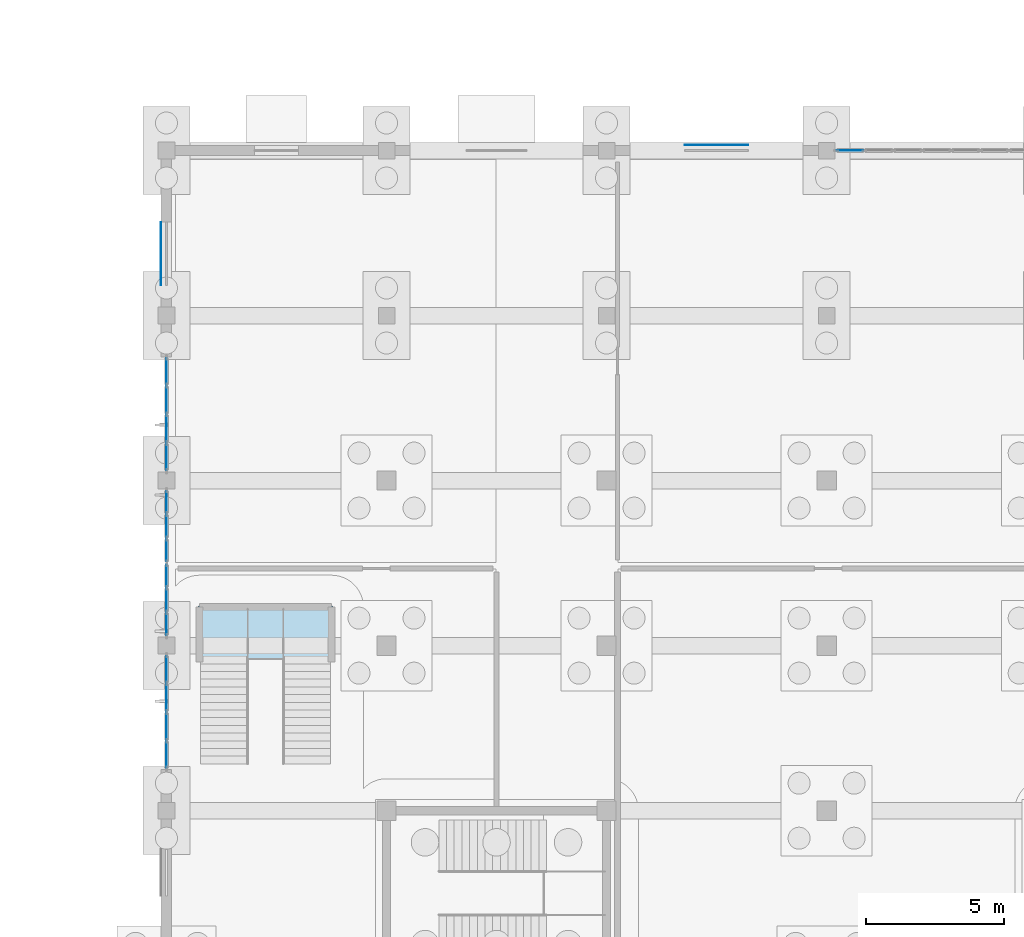
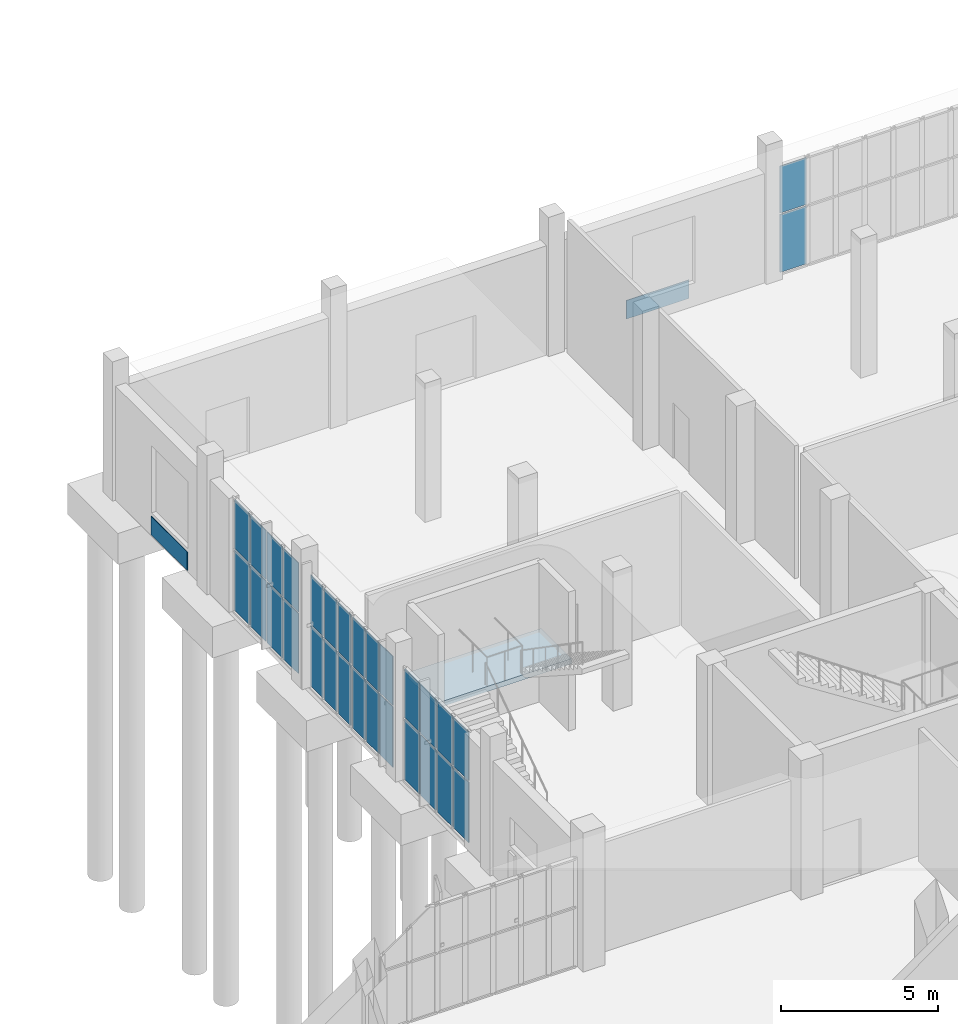
# One storey, part 34 of 69: 32 plates, 1 slab, 6 elements without a shape of their own.
"""IFC4 building model written with IfcOpenShell, lengths in metres."""

from ifc_helpers import new_model, si_unit, direction, frame, origin, origin_2d, place, context, subcontext, project, spatial, polyline, rectangle, outline, extrude, material, layer, layer_set, type_object, element, aggregate, save


model = new_model("IFC4")

# Units and contexts
model_context = context("Model", 3, precision=1e-05, world=origin(), true_north=direction((0.0, 1.0)))
body_context = subcontext(model_context, "Body", "Model", "MODEL_VIEW")
ifc_project = project(units=[si_unit("LENGTHUNIT", "METRE"), si_unit("AREAUNIT", "SQUARE_METRE"), si_unit("VOLUMEUNIT", "CUBIC_METRE"), si_unit("PLANEANGLEUNIT", "RADIAN"), si_unit("MASSUNIT", "GRAM", prefix="KILO")], contexts=[model_context])

# Site, building, storey
site_placement = place(None, origin())
site = spatial("IfcSite", under=ifc_project, at=site_placement, CompositionType="ELEMENT")
building_placement = place(site_placement, origin())
building = spatial("IfcBuilding", under=site, at=building_placement, Name="Solvane Community Centre", CompositionType="ELEMENT")
storey_placement = place(building_placement, origin())
storey = spatial("IfcBuildingStorey", under=building, at=storey_placement, Name="L00", CompositionType="ELEMENT", Elevation=0.0)

# Plates
ifc_material_1 = material(Name="Anodised bronze aluminium AW-6063 T6", Category="aluminium")
ifc_layer_1 = layer(ifc_material_1, 0.02392578125)
ifc_layer_set_1 = layer_set([ifc_layer_1], Name="Anodised bronze aluminium AW-6063 T6")
plate_type_1 = type_object("IfcPlateType", Name="Bronze Spandrel Cassette 24mm", PredefinedType="SHEET", material=ifc_layer_set_1)
for number, where, z_axis, x_axis, name in (
    (1, (107.798095703125, 56.25, 0.06005859375), (0.0, 0.0, 1.0), (0.0, 1.0, 0.0), "Art Deco Spandrel SPC-L00-019"),
    (2, (128.0, 60.201904296875, 0.06005859375), (0.0, 0.0, 1.0), (1.0, 0.0, 0.0), "Art Deco Spandrel SPC-L00-020"),
):
    element("IfcPlate", number, at=place(storey_placement, frame(where, z_axis=z_axis, x_axis=x_axis)), inside=storey, type_object=plate_type_1, Name=name, PredefinedType="SHEET", context=body_context, shape_type="SweptSolid", body=[
        extrude(rectangle(XDim=2.300048828125, YDim=0.02392578125, at=origin_2d()), origin(), (0.0, 0.0, 1.0), 0.719970703125),
    ])

# Curtain wall, plates
ifc_layer_2 = layer(ifc_material_1, 0.18994140625)
ifc_layer_set_2 = layer_set([ifc_layer_2], Name="Anodised bronze aluminium AW-6063 T6")
curtain_wall_type_1 = type_object("IfcCurtainWallType", Name="Boulevard Bronze Vision Curtain Wall [27x44dm]", PredefinedType="NOTDEFINED", material=ifc_layer_set_2)
curtain_wall_1_placement = place(storey_placement, origin())
curtain_wall_1 = element("IfcCurtainWall", 3, at=curtain_wall_1_placement, inside=storey, type_object=curtain_wall_type_1, Name="Curtain Wall CW-L00-1080_423-027", PredefinedType="NOTDEFINED")
ifc_material_2 = material(Name="Tempered low-E double glazing", Category="glass")
ifc_layer_3 = layer(ifc_material_2, 0.028076171875)
ifc_layer_set_3 = layer_set([ifc_layer_3], Name="Tempered low-E double glazing")
plate_type_2 = type_object("IfcPlateType", Name="Low-E Vision Glazing Panel 28mm [27x44dm]", PredefinedType="CURTAIN_PANEL", material=ifc_layer_set_3)
plate_1_placement = place(storey_placement, frame((108.0, 42.78173828125, 0.06005859375), z_axis=(0.0, 0.0, 1.0), x_axis=(0.0, 1.0, 0.0)))
plate_1 = element("IfcPlate", 4, at=plate_1_placement, type_object=plate_type_2, Name="CW02-27x44 panel 1.1", PredefinedType="CURTAIN_PANEL", context=body_context, shape_type="SweptSolid", body=[
    extrude(rectangle(XDim=0.80322265625, YDim=0.028076171875, at=origin_2d()), origin(), (0.0, 0.0, 1.0), 2.343994140625),
])
plate_2_placement = place(storey_placement, frame((108.0, 42.78173828125, 2.464111328125), z_axis=(0.0, 0.0, 1.0), x_axis=(0.0, 1.0, 0.0)))
plate_2 = element("IfcPlate", 5, at=plate_2_placement, type_object=plate_type_2, Name="CW02-27x44 panel 1.2", PredefinedType="CURTAIN_PANEL", context=body_context, shape_type="SweptSolid", body=[
    extrude(rectangle(XDim=0.80322265625, YDim=0.028076171875, at=origin_2d()), origin(), (0.0, 0.0, 1.0), 1.90087890625),
])
plate_3_placement = place(storey_placement, frame((108.0, 43.659912109375, 0.06005859375), z_axis=(0.0, 0.0, 1.0), x_axis=(0.0, 1.0, 0.0)))
plate_3 = element("IfcPlate", 6, at=plate_3_placement, type_object=plate_type_2, Name="CW02-27x44 panel 2.1", PredefinedType="CURTAIN_PANEL", context=body_context, shape_type="SweptSolid", body=[
    extrude(rectangle(XDim=0.833251953125, YDim=0.028076171875, at=origin_2d()), origin(), (0.0, 0.0, 1.0), 2.343994140625),
])
plate_4_placement = place(storey_placement, frame((108.0, 43.659912109375, 2.464111328125), z_axis=(0.0, 0.0, 1.0), x_axis=(0.0, 1.0, 0.0)))
plate_4 = element("IfcPlate", 7, at=plate_4_placement, type_object=plate_type_2, Name="CW02-27x44 panel 2.2", PredefinedType="CURTAIN_PANEL", context=body_context, shape_type="SweptSolid", body=[
    extrude(rectangle(XDim=0.833251953125, YDim=0.028076171875, at=origin_2d()), origin(), (0.0, 0.0, 1.0), 1.90087890625),
])
plate_5_placement = place(storey_placement, frame((108.0, 44.538330078125, 0.06005859375), z_axis=(0.0, 0.0, 1.0), x_axis=(0.0, 1.0, 0.0)))
plate_5 = element("IfcPlate", 8, at=plate_5_placement, type_object=plate_type_2, Name="CW02-27x44 panel 3.1", PredefinedType="CURTAIN_PANEL", context=body_context, shape_type="SweptSolid", body=[
    extrude(rectangle(XDim=0.80322265625, YDim=0.028076171875, at=origin_2d()), origin(), (0.0, 0.0, 1.0), 2.343994140625),
])
plate_6_placement = place(storey_placement, frame((108.0, 44.538330078125, 2.464111328125), z_axis=(0.0, 0.0, 1.0), x_axis=(0.0, 1.0, 0.0)))
plate_6 = element("IfcPlate", 9, at=plate_6_placement, type_object=plate_type_2, Name="CW02-27x44 panel 3.2", PredefinedType="CURTAIN_PANEL", context=body_context, shape_type="SweptSolid", body=[
    extrude(rectangle(XDim=0.80322265625, YDim=0.028076171875, at=origin_2d()), origin(), (0.0, 0.0, 1.0), 1.90087890625),
])
aggregate(curtain_wall_1, [plate_1, plate_2, plate_3, plate_4, plate_5, plate_6])

curtain_wall_2_placement = place(storey_placement, origin())
curtain_wall_2 = element("IfcCurtainWall", 10, at=curtain_wall_2_placement, inside=storey, type_object=curtain_wall_type_1, Name="Curtain Wall CW-L00-1080_450-028", PredefinedType="NOTDEFINED")
plate_7_placement = place(storey_placement, frame((108.0, 45.461669921875, 0.06005859375), z_axis=(0.0, 0.0, 1.0), x_axis=(0.0, 1.0, 0.0)))
plate_7 = element("IfcPlate", 11, at=plate_7_placement, type_object=plate_type_2, Name="CW02-27x44 panel 1.1", PredefinedType="CURTAIN_PANEL", context=body_context, shape_type="SweptSolid", body=[
    extrude(rectangle(XDim=0.80322265625, YDim=0.028076171875, at=origin_2d()), origin(), (0.0, 0.0, 1.0), 2.343994140625),
])
plate_8_placement = place(storey_placement, frame((108.0, 45.461669921875, 2.464111328125), z_axis=(0.0, 0.0, 1.0), x_axis=(0.0, 1.0, 0.0)))
plate_8 = element("IfcPlate", 12, at=plate_8_placement, type_object=plate_type_2, Name="CW02-27x44 panel 1.2", PredefinedType="CURTAIN_PANEL", context=body_context, shape_type="SweptSolid", body=[
    extrude(rectangle(XDim=0.80322265625, YDim=0.028076171875, at=origin_2d()), origin(), (0.0, 0.0, 1.0), 1.90087890625),
])
plate_9_placement = place(storey_placement, frame((108.0, 46.340087890625, 0.06005859375), z_axis=(0.0, 0.0, 1.0), x_axis=(0.0, 1.0, 0.0)))
plate_9 = element("IfcPlate", 13, at=plate_9_placement, type_object=plate_type_2, Name="CW02-27x44 panel 2.1", PredefinedType="CURTAIN_PANEL", context=body_context, shape_type="SweptSolid", body=[
    extrude(rectangle(XDim=0.833251953125, YDim=0.028076171875, at=origin_2d()), origin(), (0.0, 0.0, 1.0), 2.343994140625),
])
plate_10_placement = place(storey_placement, frame((108.0, 46.340087890625, 2.464111328125), z_axis=(0.0, 0.0, 1.0), x_axis=(0.0, 1.0, 0.0)))
plate_10 = element("IfcPlate", 14, at=plate_10_placement, type_object=plate_type_2, Name="CW02-27x44 panel 2.2", PredefinedType="CURTAIN_PANEL", context=body_context, shape_type="SweptSolid", body=[
    extrude(rectangle(XDim=0.833251953125, YDim=0.028076171875, at=origin_2d()), origin(), (0.0, 0.0, 1.0), 1.90087890625),
])
plate_11_placement = place(storey_placement, frame((108.0, 47.21826171875, 0.06005859375), z_axis=(0.0, 0.0, 1.0), x_axis=(0.0, 1.0, 0.0)))
plate_11 = element("IfcPlate", 15, at=plate_11_placement, type_object=plate_type_2, Name="CW02-27x44 panel 3.1", PredefinedType="CURTAIN_PANEL", context=body_context, shape_type="SweptSolid", body=[
    extrude(rectangle(XDim=0.80322265625, YDim=0.028076171875, at=origin_2d()), origin(), (0.0, 0.0, 1.0), 2.343994140625),
])
plate_12_placement = place(storey_placement, frame((108.0, 47.21826171875, 2.464111328125), z_axis=(0.0, 0.0, 1.0), x_axis=(0.0, 1.0, 0.0)))
plate_12 = element("IfcPlate", 16, at=plate_12_placement, type_object=plate_type_2, Name="CW02-27x44 panel 3.2", PredefinedType="CURTAIN_PANEL", context=body_context, shape_type="SweptSolid", body=[
    extrude(rectangle(XDim=0.80322265625, YDim=0.028076171875, at=origin_2d()), origin(), (0.0, 0.0, 1.0), 1.90087890625),
])
aggregate(curtain_wall_2, [plate_7, plate_8, plate_9, plate_10, plate_11, plate_12])

ifc_layer_4 = layer(ifc_material_1, 0.18994140625)
ifc_layer_set_4 = layer_set([ifc_layer_4], Name="Anodised bronze aluminium AW-6063 T6")
curtain_wall_type_2 = type_object("IfcCurtainWallType", Name="Boulevard Bronze Vision Curtain Wall [42x44dm]", PredefinedType="NOTDEFINED", material=ifc_layer_set_4)
curtain_wall_3_placement = place(storey_placement, origin())
curtain_wall_3 = element("IfcCurtainWall", 17, at=curtain_wall_3_placement, inside=storey, type_object=curtain_wall_type_2, Name="Curtain Wall CW-L00-1080_375-026", PredefinedType="NOTDEFINED")
ifc_layer_5 = layer(ifc_material_2, 0.028076171875)
ifc_layer_set_5 = layer_set([ifc_layer_5], Name="Tempered low-E double glazing")
plate_type_3 = type_object("IfcPlateType", Name="Low-E Vision Glazing Panel 28mm [42x44dm]", PredefinedType="CURTAIN_PANEL", material=ifc_layer_set_5)
plate_13_placement = place(storey_placement, frame((108.0, 38.03759765625, 0.06005859375), z_axis=(0.0, 0.0, 1.0), x_axis=(0.0, 1.0, 0.0)))
plate_13 = element("IfcPlate", 18, at=plate_13_placement, type_object=plate_type_3, Name="CW02-42x44 panel 1.1", PredefinedType="CURTAIN_PANEL", context=body_context, shape_type="SweptSolid", body=[
    extrude(rectangle(XDim=0.955078125, YDim=0.028076171875, at=origin_2d()), origin(), (0.0, 0.0, 1.0), 2.343994140625),
])
plate_14_placement = place(storey_placement, frame((108.0, 38.03759765625, 2.464111328125), z_axis=(0.0, 0.0, 1.0), x_axis=(0.0, 1.0, 0.0)))
plate_14 = element("IfcPlate", 19, at=plate_14_placement, type_object=plate_type_3, Name="CW02-42x44 panel 1.2", PredefinedType="CURTAIN_PANEL", context=body_context, shape_type="SweptSolid", body=[
    extrude(rectangle(XDim=0.955078125, YDim=0.028076171875, at=origin_2d()), origin(), (0.0, 0.0, 1.0), 1.90087890625),
])
plate_15_placement = place(storey_placement, frame((108.0, 39.0673828125, 0.06005859375), z_axis=(0.0, 0.0, 1.0), x_axis=(0.0, 1.0, 0.0)))
plate_15 = element("IfcPlate", 20, at=plate_15_placement, type_object=plate_type_3, Name="CW02-42x44 panel 2.1", PredefinedType="CURTAIN_PANEL", context=body_context, shape_type="SweptSolid", body=[
    extrude(rectangle(XDim=0.985107421875, YDim=0.028076171875, at=origin_2d()), origin(), (0.0, 0.0, 1.0), 2.343994140625),
])
plate_16_placement = place(storey_placement, frame((108.0, 39.0673828125, 2.464111328125), z_axis=(0.0, 0.0, 1.0), x_axis=(0.0, 1.0, 0.0)))
plate_16 = element("IfcPlate", 21, at=plate_16_placement, type_object=plate_type_3, Name="CW02-42x44 panel 2.2", PredefinedType="CURTAIN_PANEL", context=body_context, shape_type="SweptSolid", body=[
    extrude(rectangle(XDim=0.985107421875, YDim=0.028076171875, at=origin_2d()), origin(), (0.0, 0.0, 1.0), 1.90087890625),
])
plate_17_placement = place(storey_placement, frame((108.0, 40.112548828125, 0.06005859375), z_axis=(0.0, 0.0, 1.0), x_axis=(0.0, 1.0, 0.0)))
plate_17 = element("IfcPlate", 22, at=plate_17_placement, type_object=plate_type_3, Name="CW02-42x44 panel 3.1", PredefinedType="CURTAIN_PANEL", context=body_context, shape_type="SweptSolid", body=[
    extrude(rectangle(XDim=0.985107421875, YDim=0.028076171875, at=origin_2d()), origin(), (0.0, 0.0, 1.0), 2.343994140625),
])
plate_18_placement = place(storey_placement, frame((108.0, 40.112548828125, 2.464111328125), z_axis=(0.0, 0.0, 1.0), x_axis=(0.0, 1.0, 0.0)))
plate_18 = element("IfcPlate", 23, at=plate_18_placement, type_object=plate_type_3, Name="CW02-42x44 panel 3.2", PredefinedType="CURTAIN_PANEL", context=body_context, shape_type="SweptSolid", body=[
    extrude(rectangle(XDim=0.985107421875, YDim=0.028076171875, at=origin_2d()), origin(), (0.0, 0.0, 1.0), 1.90087890625),
])
plate_19_placement = place(storey_placement, frame((108.0, 41.142578125, 0.06005859375), z_axis=(0.0, 0.0, 1.0), x_axis=(0.0, 1.0, 0.0)))
plate_19 = element("IfcPlate", 24, at=plate_19_placement, type_object=plate_type_3, Name="CW02-42x44 panel 4.1", PredefinedType="CURTAIN_PANEL", context=body_context, shape_type="SweptSolid", body=[
    extrude(rectangle(XDim=0.955078125, YDim=0.028076171875, at=origin_2d()), origin(), (0.0, 0.0, 1.0), 2.343994140625),
])
plate_20_placement = place(storey_placement, frame((108.0, 41.142578125, 2.464111328125), z_axis=(0.0, 0.0, 1.0), x_axis=(0.0, 1.0, 0.0)))
plate_20 = element("IfcPlate", 25, at=plate_20_placement, type_object=plate_type_3, Name="CW02-42x44 panel 4.2", PredefinedType="CURTAIN_PANEL", context=body_context, shape_type="SweptSolid", body=[
    extrude(rectangle(XDim=0.955078125, YDim=0.028076171875, at=origin_2d()), origin(), (0.0, 0.0, 1.0), 1.90087890625),
])
aggregate(curtain_wall_3, [plate_13, plate_14, plate_15, plate_16, plate_17, plate_18, plate_19, plate_20])

curtain_wall_4_placement = place(storey_placement, origin())
curtain_wall_4 = element("IfcCurtainWall", 26, at=curtain_wall_4_placement, inside=storey, type_object=curtain_wall_type_2, Name="Curtain Wall CW-L00-1080_483-029", PredefinedType="NOTDEFINED")
plate_21_placement = place(storey_placement, frame((108.0, 48.857421875, 0.06005859375), z_axis=(0.0, 0.0, 1.0), x_axis=(0.0, 1.0, 0.0)))
plate_21 = element("IfcPlate", 27, at=plate_21_placement, type_object=plate_type_3, Name="CW02-42x44 panel 1.1", PredefinedType="CURTAIN_PANEL", context=body_context, shape_type="SweptSolid", body=[
    extrude(rectangle(XDim=0.955078125, YDim=0.028076171875, at=origin_2d()), origin(), (0.0, 0.0, 1.0), 2.343994140625),
])
plate_22_placement = place(storey_placement, frame((108.0, 48.857421875, 2.464111328125), z_axis=(0.0, 0.0, 1.0), x_axis=(0.0, 1.0, 0.0)))
plate_22 = element("IfcPlate", 28, at=plate_22_placement, type_object=plate_type_3, Name="CW02-42x44 panel 1.2", PredefinedType="CURTAIN_PANEL", context=body_context, shape_type="SweptSolid", body=[
    extrude(rectangle(XDim=0.955078125, YDim=0.028076171875, at=origin_2d()), origin(), (0.0, 0.0, 1.0), 1.90087890625),
])
plate_23_placement = place(storey_placement, frame((108.0, 49.887451171875, 0.06005859375), z_axis=(0.0, 0.0, 1.0), x_axis=(0.0, 1.0, 0.0)))
plate_23 = element("IfcPlate", 29, at=plate_23_placement, type_object=plate_type_3, Name="CW02-42x44 panel 2.1", PredefinedType="CURTAIN_PANEL", context=body_context, shape_type="SweptSolid", body=[
    extrude(rectangle(XDim=0.985107421875, YDim=0.028076171875, at=origin_2d()), origin(), (0.0, 0.0, 1.0), 2.343994140625),
])
plate_24_placement = place(storey_placement, frame((108.0, 49.887451171875, 2.464111328125), z_axis=(0.0, 0.0, 1.0), x_axis=(0.0, 1.0, 0.0)))
plate_24 = element("IfcPlate", 30, at=plate_24_placement, type_object=plate_type_3, Name="CW02-42x44 panel 2.2", PredefinedType="CURTAIN_PANEL", context=body_context, shape_type="SweptSolid", body=[
    extrude(rectangle(XDim=0.985107421875, YDim=0.028076171875, at=origin_2d()), origin(), (0.0, 0.0, 1.0), 1.90087890625),
])
plate_25_placement = place(storey_placement, frame((108.0, 50.9326171875, 0.06005859375), z_axis=(0.0, 0.0, 1.0), x_axis=(0.0, 1.0, 0.0)))
plate_25 = element("IfcPlate", 31, at=plate_25_placement, type_object=plate_type_3, Name="CW02-42x44 panel 3.1", PredefinedType="CURTAIN_PANEL", context=body_context, shape_type="SweptSolid", body=[
    extrude(rectangle(XDim=0.985107421875, YDim=0.028076171875, at=origin_2d()), origin(), (0.0, 0.0, 1.0), 2.343994140625),
])
plate_26_placement = place(storey_placement, frame((108.0, 50.9326171875, 2.464111328125), z_axis=(0.0, 0.0, 1.0), x_axis=(0.0, 1.0, 0.0)))
plate_26 = element("IfcPlate", 32, at=plate_26_placement, type_object=plate_type_3, Name="CW02-42x44 panel 3.2", PredefinedType="CURTAIN_PANEL", context=body_context, shape_type="SweptSolid", body=[
    extrude(rectangle(XDim=0.985107421875, YDim=0.028076171875, at=origin_2d()), origin(), (0.0, 0.0, 1.0), 1.90087890625),
])
plate_27_placement = place(storey_placement, frame((108.0, 51.96240234375, 0.06005859375), z_axis=(0.0, 0.0, 1.0), x_axis=(0.0, 1.0, 0.0)))
plate_27 = element("IfcPlate", 33, at=plate_27_placement, type_object=plate_type_3, Name="CW02-42x44 panel 4.1", PredefinedType="CURTAIN_PANEL", context=body_context, shape_type="SweptSolid", body=[
    extrude(rectangle(XDim=0.955078125, YDim=0.028076171875, at=origin_2d()), origin(), (0.0, 0.0, 1.0), 2.343994140625),
])
plate_28_placement = place(storey_placement, frame((108.0, 51.96240234375, 2.464111328125), z_axis=(0.0, 0.0, 1.0), x_axis=(0.0, 1.0, 0.0)))
plate_28 = element("IfcPlate", 34, at=plate_28_placement, type_object=plate_type_3, Name="CW02-42x44 panel 4.2", PredefinedType="CURTAIN_PANEL", context=body_context, shape_type="SweptSolid", body=[
    extrude(rectangle(XDim=0.955078125, YDim=0.028076171875, at=origin_2d()), origin(), (0.0, 0.0, 1.0), 1.90087890625),
])
aggregate(curtain_wall_4, [plate_21, plate_22, plate_23, plate_24, plate_25, plate_26, plate_27, plate_28])

ifc_layer_6 = layer(ifc_material_1, 0.18994140625)
ifc_layer_set_6 = layer_set([ifc_layer_6], Name="Anodised bronze aluminium AW-6063 T6")
curtain_wall_type_3 = type_object("IfcCurtainWallType", Name="Boulevard Bronze Vision Curtain Wall [74x42dm]", PredefinedType="NOTDEFINED", material=ifc_layer_set_6)
curtain_wall_5_placement = place(storey_placement, origin())
curtain_wall_5 = element("IfcCurtainWall", 35, at=curtain_wall_5_placement, inside=storey, type_object=curtain_wall_type_3, Name="Curtain Wall CW-L00-1323_600-030", PredefinedType="NOTDEFINED")
ifc_layer_7 = layer(ifc_material_2, 0.028076171875)
ifc_layer_set_7 = layer_set([ifc_layer_7], Name="Tempered low-E double glazing")
plate_type_4 = type_object("IfcPlateType", Name="Low-E Vision Glazing Panel 28mm [74x42dm]", PredefinedType="CURTAIN_PANEL", material=ifc_layer_set_7)
plate_29_placement = place(storey_placement, frame((132.8564453125, 60.0, 0.06005859375), z_axis=(0.0, 0.0, 1.0), x_axis=(1.0, 0.0, 0.0)))
plate_29 = element("IfcPlate", 36, at=plate_29_placement, type_object=plate_type_4, Name="CW02-74x42 panel 1.1", PredefinedType="CURTAIN_PANEL", context=body_context, shape_type="SweptSolid", body=[
    extrude(rectangle(XDim=0.962890625, YDim=0.028076171875, at=origin_2d()), origin(), (0.0, 0.0, 1.0), 2.2451171875),
])
plate_30_placement = place(storey_placement, frame((132.8564453125, 60.0, 2.36474609375), z_axis=(0.0, 0.0, 1.0), x_axis=(1.0, 0.0, 0.0)))
plate_30 = element("IfcPlate", 37, at=plate_30_placement, type_object=plate_type_4, Name="CW02-74x42 panel 1.2", PredefinedType="CURTAIN_PANEL", context=body_context, shape_type="SweptSolid", body=[
    extrude(rectangle(XDim=0.962890625, YDim=0.028076171875, at=origin_2d()), origin(), (0.0, 0.0, 1.0), 1.820068359375),
])
aggregate(curtain_wall_5, [plate_29, plate_30])

# Stair, slab
ifc_material_3 = material(Name="Concrete C35/45", Category="concrete")
stair_type = type_object("IfcStairType", Name="RC Two-Flight Escape Stair 1720mm", PredefinedType="TWO_STRAIGHT_RUN_STAIR", material=ifc_material_3)
stair_placement = place(storey_placement, origin())
stair = element("IfcStair", 38, at=stair_placement, inside=storey, type_object=stair_type, Name="Stair STR-CRT-L00", PredefinedType="TWO_STRAIGHT_RUN_STAIR")
ifc_layer_8 = layer(ifc_material_3, 0.199951171875)
ifc_layer_set_8 = layer_set([ifc_layer_8], Name="Concrete C35/45")
slab_type = type_object("IfcSlabType", Name="RC Stair Half-Landing Slab 200mm", PredefinedType="LANDING", material=ifc_layer_set_8)
slab_placement = place(storey_placement, frame((0.0, 0.0, 2.5)))
slab = element("IfcSlab", 39, at=slab_placement, type_object=slab_type, Name="ST-11 landing 1", PredefinedType="LANDING", context=body_context, shape_type="SweptSolid", body=[
    extrude(outline(polyline([(109.159912109375, 41.5), (114.0400390625, 41.5), (114.0400390625, 43.43994140625), (109.159912109375, 43.43994140625), (109.159912109375, 41.5)])), origin(), (0.0, 0.0, 1.0), 0.199951171875),
])
aggregate(stair, [slab])

save(model, "model.ifc")
